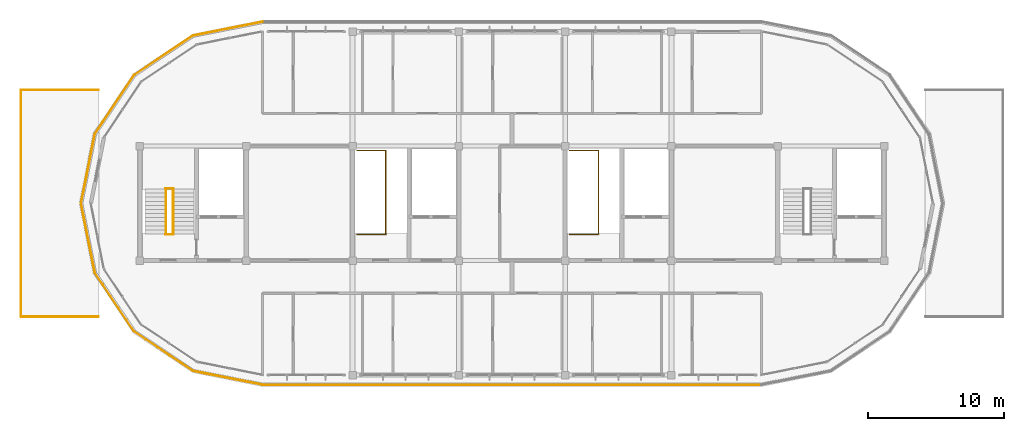
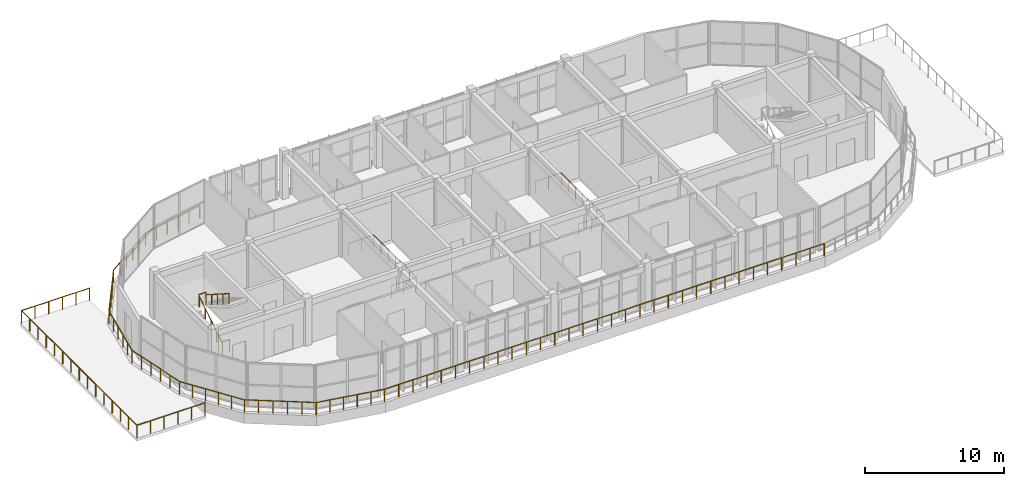
# One storey, part 32 of 33: 18 railings.
"""IFC4 building model written with IfcOpenShell, lengths in metres."""

from ifc_helpers import new_model, si_unit, direction, frame, origin, origin_2d, place, context, subcontext, project, spatial, circle, hollow_circle, extrude, material, material_profile, profile_set, type_object, element, save


model = new_model("IFC4")

# Units and contexts
model_context = context("Model", 3, precision=1e-05, world=origin(), true_north=direction((0.0, 1.0)))
body_context = subcontext(model_context, "Body", "Model", "MODEL_VIEW")
ifc_project = project(units=[si_unit("LENGTHUNIT", "METRE"), si_unit("AREAUNIT", "SQUARE_METRE"), si_unit("VOLUMEUNIT", "CUBIC_METRE"), si_unit("PLANEANGLEUNIT", "RADIAN"), si_unit("MASSUNIT", "GRAM", prefix="KILO")], contexts=[model_context])

# Site, building, storey
site_placement = place(None, origin())
site = spatial("IfcSite", under=ifc_project, at=site_placement, CompositionType="ELEMENT")
building_placement = place(site_placement, origin())
building = spatial("IfcBuilding", under=site, at=building_placement, Name="Zizhar Promenade General Hospital", CompositionType="ELEMENT")
storey_placement = place(building_placement, frame((0.0, 0.0, 39.0)))
storey = spatial("IfcBuildingStorey", under=building, at=storey_placement, Name="L09", CompositionType="ELEMENT", Elevation=39.0)

# Railings
ifc_material_1 = material(Name="Anodised aluminium 6063-T6", Category="aluminium")
ifc_material_profile_1 = material_profile(ifc_material_1, hollow_circle(Radius=0.06982421875, WallThickness=0.00634765625, at=origin_2d()))
ifc_profile_set_1 = profile_set([ifc_material_profile_1], Name="Anodised aluminium 6063-T6")
railing_type_1 = type_object("IfcRailingType", Name="RL-GUARD-TERR-1100", PredefinedType="GUARDRAIL", material=ifc_profile_set_1)
railing_1_placement = place(storey_placement, frame((55.800048828125, 25.919921875, 0.0)))
element("IfcRailing", 1, at=railing_1_placement, inside=storey, type_object=railing_type_1, Name="Perimeter Safety Guardrail L09-10", PredefinedType="GUARDRAIL", context=body_context, shape_type="SweptSolid", body=[
    extrude(circle(Radius=0.02392578125, at=origin_2d()), frame((0.0, 0.0, 1.09619140625), z_axis=(-0.980786101187, -0.195086195614, 0.0), x_axis=(0.195086195614, -0.980786101187, 0.0)), (0.0, 0.0, 1.0), 5.197265625),
    extrude(circle(Radius=0.02099609375, at=origin_2d()), origin(), (0.0, 0.0, 1.0), 1.072021484375),
    extrude(circle(Radius=0.02099609375, at=origin_2d()), frame((-1.01953125, -0.202880859375, 0.0)), (0.0, 0.0, 1.0), 1.072021484375),
    extrude(circle(Radius=0.02099609375, at=origin_2d()), frame((-2.0390625, -0.405517578125, 0.0)), (0.0, 0.0, 1.0), 1.072021484375),
    extrude(circle(Radius=0.02099609375, at=origin_2d()), frame((-3.058349609375, -0.6083984375, 0.0)), (0.0, 0.0, 1.0), 1.072021484375),
    extrude(circle(Radius=0.02099609375, at=origin_2d()), frame((-4.077880859375, -0.81103515625, 0.0)), (0.0, 0.0, 1.0), 1.072021484375),
    extrude(circle(Radius=0.02099609375, at=origin_2d()), frame((-5.097412109375, -1.013916015625, 0.0)), (0.0, 0.0, 1.0), 1.072021484375),
])
railing_2_placement = place(storey_placement, frame((50.70263671875, 24.906005859375, 0.0)))
element("IfcRailing", 2, at=railing_2_placement, inside=storey, type_object=railing_type_1, Name="Perimeter Safety Guardrail L09-11", PredefinedType="GUARDRAIL", context=body_context, shape_type="SweptSolid", body=[
    extrude(circle(Radius=0.02392578125, at=origin_2d()), frame((0.0, 0.0, 1.09619140625), z_axis=(-0.831486145253, -0.555545488913, 0.0), x_axis=(0.555545488913, -0.831486145253, 0.0)), (0.0, 0.0, 1.0), 5.197021484375),
    extrude(circle(Radius=0.02099609375, at=origin_2d()), origin(), (0.0, 0.0, 1.0), 1.072021484375),
    extrude(circle(Radius=0.02099609375, at=origin_2d()), frame((-0.8642578125, -0.577392578125, 0.0)), (0.0, 0.0, 1.0), 1.072021484375),
    extrude(circle(Radius=0.02099609375, at=origin_2d()), frame((-1.728515625, -1.15478515625, 0.0)), (0.0, 0.0, 1.0), 1.072021484375),
    extrude(circle(Radius=0.02099609375, at=origin_2d()), frame((-2.5927734375, -1.732421875, 0.0)), (0.0, 0.0, 1.0), 1.072021484375),
    extrude(circle(Radius=0.02099609375, at=origin_2d()), frame((-3.45703125, -2.309814453125, 0.0)), (0.0, 0.0, 1.0), 1.072021484375),
    extrude(circle(Radius=0.02099609375, at=origin_2d()), frame((-4.3212890625, -2.88720703125, 0.0)), (0.0, 0.0, 1.0), 1.072021484375),
])
railing_3_placement = place(storey_placement, frame((46.38134765625, 22.018798828125, 0.0)))
element("IfcRailing", 3, at=railing_3_placement, inside=storey, type_object=railing_type_1, Name="Perimeter Safety Guardrail L09-12", PredefinedType="GUARDRAIL", context=body_context, shape_type="SweptSolid", body=[
    extrude(circle(Radius=0.02392578125, at=origin_2d()), frame((0.0, 0.0, 1.09619140625), z_axis=(-0.555556266519, -0.83147894425, 0.0), x_axis=(0.83147894425, -0.555556266519, 0.0)), (0.0, 0.0, 1.0), 5.197509765625),
    extrude(circle(Radius=0.02099609375, at=origin_2d()), origin(), (0.0, 0.0, 1.0), 1.072021484375),
    extrude(circle(Radius=0.02099609375, at=origin_2d()), frame((-0.577392578125, -0.8642578125, 0.0)), (0.0, 0.0, 1.0), 1.072021484375),
    extrude(circle(Radius=0.02099609375, at=origin_2d()), frame((-1.155029296875, -1.728515625, 0.0)), (0.0, 0.0, 1.0), 1.072021484375),
    extrude(circle(Radius=0.02099609375, at=origin_2d()), frame((-1.732421875, -2.593017578125, 0.0)), (0.0, 0.0, 1.0), 1.072021484375),
    extrude(circle(Radius=0.02099609375, at=origin_2d()), frame((-2.31005859375, -3.457275390625, 0.0)), (0.0, 0.0, 1.0), 1.072021484375),
    extrude(circle(Radius=0.02099609375, at=origin_2d()), frame((-2.887451171875, -4.321533203125, 0.0)), (0.0, 0.0, 1.0), 1.072021484375),
])
railing_4_placement = place(storey_placement, frame((43.493896484375, 17.697265625, 0.0)))
element("IfcRailing", 4, at=railing_4_placement, inside=storey, type_object=railing_type_1, Name="Perimeter Safety Guardrail L09-13", PredefinedType="GUARDRAIL", context=body_context, shape_type="SweptSolid", body=[
    extrude(circle(Radius=0.02392578125, at=origin_2d()), frame((0.0, 0.0, 1.09619140625), z_axis=(-0.195095184069, -0.980784313268, 0.0), x_axis=(0.980784313268, -0.195095184069, 0.0)), (0.0, 0.0, 1.0), 5.197021484375),
    extrude(circle(Radius=0.02099609375, at=origin_2d()), origin(), (0.0, 0.0, 1.0), 1.072021484375),
    extrude(circle(Radius=0.02099609375, at=origin_2d()), frame((-0.202880859375, -1.01953125, 0.0)), (0.0, 0.0, 1.0), 1.072021484375),
    extrude(circle(Radius=0.02099609375, at=origin_2d()), frame((-0.405517578125, -2.038818359375, 0.0)), (0.0, 0.0, 1.0), 1.072021484375),
    extrude(circle(Radius=0.02099609375, at=origin_2d()), frame((-0.6083984375, -3.058349609375, 0.0)), (0.0, 0.0, 1.0), 1.072021484375),
    extrude(circle(Radius=0.02099609375, at=origin_2d()), frame((-0.81103515625, -4.07763671875, 0.0)), (0.0, 0.0, 1.0), 1.072021484375),
    extrude(circle(Radius=0.02099609375, at=origin_2d()), frame((-1.013916015625, -5.09716796875, 0.0)), (0.0, 0.0, 1.0), 1.072021484375),
])
railing_5_placement = place(storey_placement, frame((42.47998046875, 12.60009765625, 0.0)))
element("IfcRailing", 5, at=railing_5_placement, inside=storey, type_object=railing_type_1, Name="Perimeter Safety Guardrail L09-14", PredefinedType="GUARDRAIL", context=body_context, shape_type="SweptSolid", body=[
    extrude(circle(Radius=0.02392578125, at=origin_2d()), frame((0.0, 0.0, 1.09619140625), z_axis=(0.195086195614, -0.980786101187, 0.0), x_axis=(0.980786101187, 0.195086195614, 0.0)), (0.0, 0.0, 1.0), 5.197265625),
    extrude(circle(Radius=0.02099609375, at=origin_2d()), origin(), (0.0, 0.0, 1.0), 1.072021484375),
    extrude(circle(Radius=0.02099609375, at=origin_2d()), frame((0.202880859375, -1.01953125, 0.0)), (0.0, 0.0, 1.0), 1.072021484375),
    extrude(circle(Radius=0.02099609375, at=origin_2d()), frame((0.405517578125, -2.0390625, 0.0)), (0.0, 0.0, 1.0), 1.072021484375),
    extrude(circle(Radius=0.02099609375, at=origin_2d()), frame((0.6083984375, -3.058349609375, 0.0)), (0.0, 0.0, 1.0), 1.072021484375),
    extrude(circle(Radius=0.02099609375, at=origin_2d()), frame((0.81103515625, -4.077880859375, 0.0)), (0.0, 0.0, 1.0), 1.072021484375),
    extrude(circle(Radius=0.02099609375, at=origin_2d()), frame((1.013916015625, -5.097412109375, 0.0)), (0.0, 0.0, 1.0), 1.072021484375),
])
railing_6_placement = place(storey_placement, frame((43.493896484375, 7.502685546875, 0.0)))
element("IfcRailing", 6, at=railing_6_placement, inside=storey, type_object=railing_type_1, Name="Perimeter Safety Guardrail L09-15", PredefinedType="GUARDRAIL", context=body_context, shape_type="SweptSolid", body=[
    extrude(circle(Radius=0.02392578125, at=origin_2d()), frame((0.0, 0.0, 1.09619140625), z_axis=(0.555577965829, -0.831464445352, 0.0), x_axis=(0.831464445352, 0.555577965829, 0.0)), (0.0, 0.0, 1.0), 5.197265625),
    extrude(circle(Radius=0.02099609375, at=origin_2d()), origin(), (0.0, 0.0, 1.0), 1.072021484375),
    extrude(circle(Radius=0.02099609375, at=origin_2d()), frame((0.577392578125, -0.8642578125, 0.0)), (0.0, 0.0, 1.0), 1.072021484375),
    extrude(circle(Radius=0.02099609375, at=origin_2d()), frame((1.155029296875, -1.728515625, 0.0)), (0.0, 0.0, 1.0), 1.072021484375),
    extrude(circle(Radius=0.02099609375, at=origin_2d()), frame((1.732421875, -2.5927734375, 0.0)), (0.0, 0.0, 1.0), 1.072021484375),
    extrude(circle(Radius=0.02099609375, at=origin_2d()), frame((2.31005859375, -3.45703125, 0.0)), (0.0, 0.0, 1.0), 1.072021484375),
    extrude(circle(Radius=0.02099609375, at=origin_2d()), frame((2.887451171875, -4.3212890625, 0.0)), (0.0, 0.0, 1.0), 1.072021484375),
])
railing_7_placement = place(storey_placement, frame((46.38134765625, 3.181396484375, 0.0)))
element("IfcRailing", 7, at=railing_7_placement, inside=storey, type_object=railing_type_1, Name="Perimeter Safety Guardrail L09-16", PredefinedType="GUARDRAIL", context=body_context, shape_type="SweptSolid", body=[
    extrude(circle(Radius=0.02392578125, at=origin_2d()), frame((0.0, 0.0, 1.09619140625), z_axis=(0.831464445352, -0.555577965829, 0.0), x_axis=(0.555577965829, 0.831464445352, 0.0)), (0.0, 0.0, 1.0), 5.197265625),
    extrude(circle(Radius=0.02099609375, at=origin_2d()), origin(), (0.0, 0.0, 1.0), 1.072021484375),
    extrude(circle(Radius=0.02099609375, at=origin_2d()), frame((0.8642578125, -0.577392578125, 0.0)), (0.0, 0.0, 1.0), 1.072021484375),
    extrude(circle(Radius=0.02099609375, at=origin_2d()), frame((1.728515625, -1.155029296875, 0.0)), (0.0, 0.0, 1.0), 1.072021484375),
    extrude(circle(Radius=0.02099609375, at=origin_2d()), frame((2.5927734375, -1.732421875, 0.0)), (0.0, 0.0, 1.0), 1.072021484375),
    extrude(circle(Radius=0.02099609375, at=origin_2d()), frame((3.45703125, -2.31005859375, 0.0)), (0.0, 0.0, 1.0), 1.072021484375),
    extrude(circle(Radius=0.02099609375, at=origin_2d()), frame((4.3212890625, -2.887451171875, 0.0)), (0.0, 0.0, 1.0), 1.072021484375),
])
railing_8_placement = place(storey_placement, frame((50.70263671875, 0.2939453125, 0.0)))
element("IfcRailing", 8, at=railing_8_placement, inside=storey, type_object=railing_type_1, Name="Perimeter Safety Guardrail L09-17", PredefinedType="GUARDRAIL", context=body_context, shape_type="SweptSolid", body=[
    extrude(circle(Radius=0.02392578125, at=origin_2d()), frame((0.0, 0.0, 1.09619140625), z_axis=(0.980786101187, -0.195086195614, 0.0), x_axis=(0.195086195614, 0.980786101187, 0.0)), (0.0, 0.0, 1.0), 5.197265625),
    extrude(circle(Radius=0.02099609375, at=origin_2d()), origin(), (0.0, 0.0, 1.0), 1.072021484375),
    extrude(circle(Radius=0.02099609375, at=origin_2d()), frame((1.01953125, -0.202880859375, 0.0)), (0.0, 0.0, 1.0), 1.072021484375),
    extrude(circle(Radius=0.02099609375, at=origin_2d()), frame((2.0390625, -0.405517578125, 0.0)), (0.0, 0.0, 1.0), 1.072021484375),
    extrude(circle(Radius=0.02099609375, at=origin_2d()), frame((3.058349609375, -0.6083984375, 0.0)), (0.0, 0.0, 1.0), 1.072021484375),
    extrude(circle(Radius=0.02099609375, at=origin_2d()), frame((4.077880859375, -0.81103515625, 0.0)), (0.0, 0.0, 1.0), 1.072021484375),
    extrude(circle(Radius=0.02099609375, at=origin_2d()), frame((5.097412109375, -1.013916015625, 0.0)), (0.0, 0.0, 1.0), 1.072021484375),
])
railing_9_placement = place(storey_placement, frame((55.800048828125, -0.719970703125, 0.0)))
element("IfcRailing", 9, at=railing_9_placement, inside=storey, type_object=railing_type_1, Name="Perimeter Safety Guardrail L09-18", PredefinedType="GUARDRAIL", context=body_context, shape_type="SweptSolid", body=[
    extrude(circle(Radius=0.02392578125, at=origin_2d()), frame((0.0, 0.0, 1.09619140625), z_axis=(1.0, 0.0, 0.0), x_axis=(0.0, 1.0, 0.0)), (0.0, 0.0, 1.0), 36.599853515625),
    extrude(circle(Radius=0.02099609375, at=origin_2d()), origin(), (0.0, 0.0, 1.0), 1.072021484375),
    extrude(circle(Radius=0.02099609375, at=origin_2d()), frame((1.1806640625, 0.0, 0.0)), (0.0, 0.0, 1.0), 1.072021484375),
    extrude(circle(Radius=0.02099609375, at=origin_2d()), frame((2.361328125, 0.0, 0.0)), (0.0, 0.0, 1.0), 1.072021484375),
    extrude(circle(Radius=0.02099609375, at=origin_2d()), frame((3.5419921875, 0.0, 0.0)), (0.0, 0.0, 1.0), 1.072021484375),
    extrude(circle(Radius=0.02099609375, at=origin_2d()), frame((4.72265625, 0.0, 0.0)), (0.0, 0.0, 1.0), 1.072021484375),
    extrude(circle(Radius=0.02099609375, at=origin_2d()), frame((5.9033203125, 0.0, 0.0)), (0.0, 0.0, 1.0), 1.072021484375),
    extrude(circle(Radius=0.02099609375, at=origin_2d()), frame((7.083740234375, 0.0, 0.0)), (0.0, 0.0, 1.0), 1.072021484375),
    extrude(circle(Radius=0.02099609375, at=origin_2d()), frame((8.264404296875, 0.0, 0.0)), (0.0, 0.0, 1.0), 1.072021484375),
    extrude(circle(Radius=0.02099609375, at=origin_2d()), frame((9.445068359375, 0.0, 0.0)), (0.0, 0.0, 1.0), 1.072021484375),
    extrude(circle(Radius=0.02099609375, at=origin_2d()), frame((10.625732421875, 0.0, 0.0)), (0.0, 0.0, 1.0), 1.072021484375),
    extrude(circle(Radius=0.02099609375, at=origin_2d()), frame((11.806396484375, 0.0, 0.0)), (0.0, 0.0, 1.0), 1.072021484375),
    extrude(circle(Radius=0.02099609375, at=origin_2d()), frame((12.987060546875, 0.0, 0.0)), (0.0, 0.0, 1.0), 1.072021484375),
    extrude(circle(Radius=0.02099609375, at=origin_2d()), frame((14.167724609375, 0.0, 0.0)), (0.0, 0.0, 1.0), 1.072021484375),
    extrude(circle(Radius=0.02099609375, at=origin_2d()), frame((15.348388671875, 0.0, 0.0)), (0.0, 0.0, 1.0), 1.072021484375),
    extrude(circle(Radius=0.02099609375, at=origin_2d()), frame((16.529052734375, 0.0, 0.0)), (0.0, 0.0, 1.0), 1.072021484375),
    extrude(circle(Radius=0.02099609375, at=origin_2d()), frame((17.709716796875, 0.0, 0.0)), (0.0, 0.0, 1.0), 1.072021484375),
    extrude(circle(Radius=0.02099609375, at=origin_2d()), frame((18.89013671875, 0.0, 0.0)), (0.0, 0.0, 1.0), 1.072021484375),
    extrude(circle(Radius=0.02099609375, at=origin_2d()), frame((20.07080078125, 0.0, 0.0)), (0.0, 0.0, 1.0), 1.072021484375),
    extrude(circle(Radius=0.02099609375, at=origin_2d()), frame((21.25146484375, 0.0, 0.0)), (0.0, 0.0, 1.0), 1.072021484375),
    extrude(circle(Radius=0.02099609375, at=origin_2d()), frame((22.43212890625, 0.0, 0.0)), (0.0, 0.0, 1.0), 1.072021484375),
    extrude(circle(Radius=0.02099609375, at=origin_2d()), frame((23.61279296875, 0.0, 0.0)), (0.0, 0.0, 1.0), 1.072021484375),
    extrude(circle(Radius=0.02099609375, at=origin_2d()), frame((24.79345703125, 0.0, 0.0)), (0.0, 0.0, 1.0), 1.072021484375),
    extrude(circle(Radius=0.02099609375, at=origin_2d()), frame((25.97412109375, 0.0, 0.0)), (0.0, 0.0, 1.0), 1.072021484375),
    extrude(circle(Radius=0.02099609375, at=origin_2d()), frame((27.15478515625, 0.0, 0.0)), (0.0, 0.0, 1.0), 1.072021484375),
    extrude(circle(Radius=0.02099609375, at=origin_2d()), frame((28.33544921875, 0.0, 0.0)), (0.0, 0.0, 1.0), 1.072021484375),
    extrude(circle(Radius=0.02099609375, at=origin_2d()), frame((29.51611328125, 0.0, 0.0)), (0.0, 0.0, 1.0), 1.072021484375),
    extrude(circle(Radius=0.02099609375, at=origin_2d()), frame((30.696533203125, 0.0, 0.0)), (0.0, 0.0, 1.0), 1.072021484375),
    extrude(circle(Radius=0.02099609375, at=origin_2d()), frame((31.877197265625, 0.0, 0.0)), (0.0, 0.0, 1.0), 1.072021484375),
    extrude(circle(Radius=0.02099609375, at=origin_2d()), frame((33.057861328125, 0.0, 0.0)), (0.0, 0.0, 1.0), 1.072021484375),
    extrude(circle(Radius=0.02099609375, at=origin_2d()), frame((34.238525390625, 0.0, 0.0)), (0.0, 0.0, 1.0), 1.072021484375),
    extrude(circle(Radius=0.02099609375, at=origin_2d()), frame((35.419189453125, 0.0, 0.0)), (0.0, 0.0, 1.0), 1.072021484375),
    extrude(circle(Radius=0.02099609375, at=origin_2d()), frame((36.599853515625, 0.0, 0.0)), (0.0, 0.0, 1.0), 1.072021484375),
])
railing_10_placement = place(storey_placement, frame((43.75, 4.280029296875, 0.0)))
element("IfcRailing", 10, at=railing_10_placement, inside=storey, type_object=railing_type_1, Name="Perimeter Safety Guardrail L09-01", PredefinedType="GUARDRAIL", context=body_context, shape_type="SweptSolid", body=[
    extrude(circle(Radius=0.02392578125, at=origin_2d()), frame((0.0, 0.0, 1.09619140625), z_axis=(-1.0, 0.0, 0.0), x_axis=(0.0, -1.0, 0.0)), (0.0, 0.0, 1.0), 5.669921875),
    extrude(circle(Radius=0.02099609375, at=origin_2d()), origin(), (0.0, 0.0, 1.0), 1.072021484375),
    extrude(circle(Radius=0.02099609375, at=origin_2d()), frame((-1.134033203125, 0.0, 0.0)), (0.0, 0.0, 1.0), 1.072021484375),
    extrude(circle(Radius=0.02099609375, at=origin_2d()), frame((-2.26806640625, 0.0, 0.0)), (0.0, 0.0, 1.0), 1.072021484375),
    extrude(circle(Radius=0.02099609375, at=origin_2d()), frame((-3.40185546875, 0.0, 0.0)), (0.0, 0.0, 1.0), 1.072021484375),
    extrude(circle(Radius=0.02099609375, at=origin_2d()), frame((-4.535888671875, 0.0, 0.0)), (0.0, 0.0, 1.0), 1.072021484375),
    extrude(circle(Radius=0.02099609375, at=origin_2d()), frame((-5.669921875, 0.0, 0.0)), (0.0, 0.0, 1.0), 1.072021484375),
])
railing_11_placement = place(storey_placement, frame((38.080078125, 4.280029296875, 0.0)))
element("IfcRailing", 11, at=railing_11_placement, inside=storey, type_object=railing_type_1, Name="Perimeter Safety Guardrail L09-02", PredefinedType="GUARDRAIL", context=body_context, shape_type="SweptSolid", body=[
    extrude(circle(Radius=0.02392578125, at=origin_2d()), frame((0.0, 0.0, 1.09619140625), z_axis=(0.0, 1.0, 0.0), x_axis=(-1.0, 0.0, 0.0)), (0.0, 0.0, 1.0), 16.639892578125),
    extrude(circle(Radius=0.02099609375, at=origin_2d()), origin(), (0.0, 0.0, 1.0), 1.072021484375),
    extrude(circle(Radius=0.02099609375, at=origin_2d()), frame((0.0, 1.1884765625, 0.0)), (0.0, 0.0, 1.0), 1.072021484375),
    extrude(circle(Radius=0.02099609375, at=origin_2d()), frame((0.0, 2.377197265625, 0.0)), (0.0, 0.0, 1.0), 1.072021484375),
    extrude(circle(Radius=0.02099609375, at=origin_2d()), frame((0.0, 3.565673828125, 0.0)), (0.0, 0.0, 1.0), 1.072021484375),
    extrude(circle(Radius=0.02099609375, at=origin_2d()), frame((0.0, 4.754150390625, 0.0)), (0.0, 0.0, 1.0), 1.072021484375),
    extrude(circle(Radius=0.02099609375, at=origin_2d()), frame((0.0, 5.94287109375, 0.0)), (0.0, 0.0, 1.0), 1.072021484375),
    extrude(circle(Radius=0.02099609375, at=origin_2d()), frame((0.0, 7.13134765625, 0.0)), (0.0, 0.0, 1.0), 1.072021484375),
    extrude(circle(Radius=0.02099609375, at=origin_2d()), frame((0.0, 8.31982421875, 0.0)), (0.0, 0.0, 1.0), 1.072021484375),
    extrude(circle(Radius=0.02099609375, at=origin_2d()), frame((0.0, 9.508544921875, 0.0)), (0.0, 0.0, 1.0), 1.072021484375),
    extrude(circle(Radius=0.02099609375, at=origin_2d()), frame((0.0, 10.697021484375, 0.0)), (0.0, 0.0, 1.0), 1.072021484375),
    extrude(circle(Radius=0.02099609375, at=origin_2d()), frame((0.0, 11.8857421875, 0.0)), (0.0, 0.0, 1.0), 1.072021484375),
    extrude(circle(Radius=0.02099609375, at=origin_2d()), frame((0.0, 13.07421875, 0.0)), (0.0, 0.0, 1.0), 1.072021484375),
    extrude(circle(Radius=0.02099609375, at=origin_2d()), frame((0.0, 14.2626953125, 0.0)), (0.0, 0.0, 1.0), 1.072021484375),
    extrude(circle(Radius=0.02099609375, at=origin_2d()), frame((0.0, 15.451416015625, 0.0)), (0.0, 0.0, 1.0), 1.072021484375),
    extrude(circle(Radius=0.02099609375, at=origin_2d()), frame((0.0, 16.639892578125, 0.0)), (0.0, 0.0, 1.0), 1.072021484375),
])
railing_12_placement = place(storey_placement, frame((38.080078125, 20.919921875, 0.0)))
element("IfcRailing", 12, at=railing_12_placement, inside=storey, type_object=railing_type_1, Name="Perimeter Safety Guardrail L09-03", PredefinedType="GUARDRAIL", context=body_context, shape_type="SweptSolid", body=[
    extrude(circle(Radius=0.02392578125, at=origin_2d()), frame((0.0, 0.0, 1.09619140625), z_axis=(1.0, 0.0, 0.0), x_axis=(0.0, 1.0, 0.0)), (0.0, 0.0, 1.0), 5.669921875),
    extrude(circle(Radius=0.02099609375, at=origin_2d()), origin(), (0.0, 0.0, 1.0), 1.072021484375),
    extrude(circle(Radius=0.02099609375, at=origin_2d()), frame((1.134033203125, 0.0, 0.0)), (0.0, 0.0, 1.0), 1.072021484375),
    extrude(circle(Radius=0.02099609375, at=origin_2d()), frame((2.26806640625, 0.0, 0.0)), (0.0, 0.0, 1.0), 1.072021484375),
    extrude(circle(Radius=0.02099609375, at=origin_2d()), frame((3.40185546875, 0.0, 0.0)), (0.0, 0.0, 1.0), 1.072021484375),
    extrude(circle(Radius=0.02099609375, at=origin_2d()), frame((4.535888671875, 0.0, 0.0)), (0.0, 0.0, 1.0), 1.072021484375),
    extrude(circle(Radius=0.02099609375, at=origin_2d()), frame((5.669921875, 0.0, 0.0)), (0.0, 0.0, 1.0), 1.072021484375),
])
ifc_material_2 = material(Name="Anodised aluminium 6063-T6", Category="aluminium")
ifc_material_profile_2 = material_profile(ifc_material_2, hollow_circle(Radius=0.06982421875, WallThickness=0.00634765625, at=origin_2d()))
ifc_profile_set_2 = profile_set([ifc_material_profile_2], Name="Anodised aluminium 6063-T6")
railing_type_2 = type_object("IfcRailingType", Name="RL-HANDRAIL-920", PredefinedType="HANDRAIL", material=ifc_profile_set_2)
railing_13_placement = place(storey_placement, frame((48.699951171875, 10.35009765625, 0.0)))
element("IfcRailing", 13, at=railing_13_placement, inside=storey, type_object=railing_type_2, Name="Stair ST-02 Flight 1 Handrail (L09)", PredefinedType="HANDRAIL", context=body_context, shape_type="SweptSolid", body=[
    extrude(circle(Radius=0.02392578125, at=origin_2d()), frame((0.0, 0.0, 0.89599609375), z_axis=(0.0, 0.843635785416, 0.536915879413), x_axis=(-1.0, 0.0, 0.0)), (0.0, 0.0, 1.0), 3.911376953125),
    extrude(circle(Radius=0.02099609375, at=origin_2d()), origin(), (0.0, 0.0, 1.0), 0.871826171875),
    extrude(circle(Radius=0.02099609375, at=origin_2d()), frame((0.0, 0.824951171875, 0.52490234375)), (0.0, 0.0, 1.0), 0.871826171875),
    extrude(circle(Radius=0.02099609375, at=origin_2d()), frame((0.0, 1.64990234375, 1.050048828125)), (0.0, 0.0, 1.0), 0.871826171875),
    extrude(circle(Radius=0.02099609375, at=origin_2d()), frame((0.0, 2.474853515625, 1.5751953125)), (0.0, 0.0, 1.0), 0.871826171875),
    extrude(circle(Radius=0.02099609375, at=origin_2d()), frame((0.0, 3.2998046875, 2.10009765625)), (0.0, 0.0, 1.0), 0.871826171875),
])
railing_14_placement = place(storey_placement, frame((49.239990234375, 13.64990234375, 2.10009765625)))
element("IfcRailing", 14, at=railing_14_placement, inside=storey, type_object=railing_type_2, Name="Stair ST-02 Flight 2 Handrail (L09)", PredefinedType="HANDRAIL", context=body_context, shape_type="SweptSolid", body=[
    extrude(circle(Radius=0.02392578125, at=origin_2d()), frame((0.0, 0.0, 0.89599609375), z_axis=(0.0, -0.843664057944, 0.536871453268), x_axis=(1.0, 0.0, 0.0)), (0.0, 0.0, 1.0), 3.911376953125),
    extrude(circle(Radius=0.02099609375, at=origin_2d()), origin(), (0.0, 0.0, 1.0), 0.871826171875),
    extrude(circle(Radius=0.02099609375, at=origin_2d()), frame((0.0, -0.824951171875, 0.52490234375)), (0.0, 0.0, 1.0), 0.871826171875),
    extrude(circle(Radius=0.02099609375, at=origin_2d()), frame((0.0, -1.64990234375, 1.0498046875)), (0.0, 0.0, 1.0), 0.871826171875),
    extrude(circle(Radius=0.02099609375, at=origin_2d()), frame((0.0, -2.474853515625, 1.574951171875)), (0.0, 0.0, 1.0), 0.871826171875),
    extrude(circle(Radius=0.02099609375, at=origin_2d()), frame((0.0, -3.2998046875, 2.099853515625)), (0.0, 0.0, 1.0), 0.871826171875),
])
ifc_material_3 = material(Name="Steel S355", Category="steel")
ifc_material_profile_3 = material_profile(ifc_material_3, hollow_circle(Radius=0.06982421875, WallThickness=0.00634765625, at=origin_2d()))
ifc_profile_set_3 = profile_set([ifc_material_profile_3], Name="Steel S355")
railing_type_3 = type_object("IfcRailingType", Name="RL-STAIR-GUARD-1100", PredefinedType="GUARDRAIL", material=ifc_profile_set_3)
for number, where, name in (
    (15, (48.679931640625, 13.68994140625, 2.10009765625), "Stair ST-02 Half-Landing Guard (L09)"),
    (16, (48.679931640625, 10.31005859375, 0.0), "Stair ST-02 Landing Well Guard (L09)"),
):
    element("IfcRailing", number, at=place(storey_placement, frame(where)), inside=storey, type_object=railing_type_3, Name=name, PredefinedType="GUARDRAIL", context=body_context, shape_type="SweptSolid", body=[
        extrude(circle(Radius=0.02392578125, at=origin_2d()), frame((0.0, 0.0, 1.076171875), z_axis=(1.0, 0.0, 0.0), x_axis=(0.0, 1.0, 0.0)), (0.0, 0.0, 1.0), 0.580078125),
        extrude(circle(Radius=0.02099609375, at=origin_2d()), origin(), (0.0, 0.0, 1.0), 1.052001953125),
        extrude(circle(Radius=0.02099609375, at=origin_2d()), frame((0.580078125, 0.0, 0.0)), (0.0, 0.0, 1.0), 1.052001953125),
    ])
railing_15_placement = place(storey_placement, frame((62.719970703125, 10.31005859375, 0.0)))
element("IfcRailing", 17, at=railing_15_placement, inside=storey, type_object=railing_type_3, Name="Stair ST-03 Top Well Guard (L09)", PredefinedType="GUARDRAIL", context=body_context, shape_type="SweptSolid", body=[
    extrude(circle(Radius=0.02392578125, at=origin_2d()), frame((0.0, 0.0, 1.076171875), z_axis=(1.0, 0.0, 0.0), x_axis=(0.0, 1.0, 0.0)), (0.0, 0.0, 1.0), 2.1201171875),
    extrude(circle(Radius=0.02392578125, at=origin_2d()), frame((2.1201171875, 0.0, 1.076171875), z_axis=(0.0, 1.0, 0.0), x_axis=(-1.0, 0.0, 0.0)), (0.0, 0.0, 1.0), 6.169921875),
    extrude(circle(Radius=0.02392578125, at=origin_2d()), frame((2.1201171875, 6.169921875, 1.076171875), z_axis=(-1.0, 0.0, 0.0), x_axis=(0.0, -1.0, 0.0)), (0.0, 0.0, 1.0), 2.1201171875),
    extrude(circle(Radius=0.02099609375, at=origin_2d()), origin(), (0.0, 0.0, 1.0), 1.052001953125),
    extrude(circle(Radius=0.02099609375, at=origin_2d()), frame((1.06005859375, 0.0, 0.0)), (0.0, 0.0, 1.0), 1.052001953125),
    extrude(circle(Radius=0.02099609375, at=origin_2d()), frame((2.1201171875, 0.0, 0.0)), (0.0, 0.0, 1.0), 1.052001953125),
    extrude(circle(Radius=0.02099609375, at=origin_2d()), frame((2.1201171875, 1.0283203125, 0.0)), (0.0, 0.0, 1.0), 1.052001953125),
    extrude(circle(Radius=0.02099609375, at=origin_2d()), frame((2.1201171875, 2.056640625, 0.0)), (0.0, 0.0, 1.0), 1.052001953125),
    extrude(circle(Radius=0.02099609375, at=origin_2d()), frame((2.1201171875, 3.0849609375, 0.0)), (0.0, 0.0, 1.0), 1.052001953125),
    extrude(circle(Radius=0.02099609375, at=origin_2d()), frame((2.1201171875, 4.11328125, 0.0)), (0.0, 0.0, 1.0), 1.052001953125),
    extrude(circle(Radius=0.02099609375, at=origin_2d()), frame((2.1201171875, 5.1416015625, 0.0)), (0.0, 0.0, 1.0), 1.052001953125),
    extrude(circle(Radius=0.02099609375, at=origin_2d()), frame((2.1201171875, 6.169921875, 0.0)), (0.0, 0.0, 1.0), 1.052001953125),
    extrude(circle(Radius=0.02099609375, at=origin_2d()), frame((1.06005859375, 6.169921875, 0.0)), (0.0, 0.0, 1.0), 1.052001953125),
    extrude(circle(Radius=0.02099609375, at=origin_2d()), frame((0.0, 6.169921875, 0.0)), (0.0, 0.0, 1.0), 1.052001953125),
])
railing_16_placement = place(storey_placement, frame((78.320068359375, 10.31005859375, 0.0)))
element("IfcRailing", 18, at=railing_16_placement, inside=storey, type_object=railing_type_3, Name="Stair ST-04 Top Well Guard (L09)", PredefinedType="GUARDRAIL", context=body_context, shape_type="SweptSolid", body=[
    extrude(circle(Radius=0.02392578125, at=origin_2d()), frame((0.0, 0.0, 1.076171875), z_axis=(1.0, 0.0, 0.0), x_axis=(0.0, 1.0, 0.0)), (0.0, 0.0, 1.0), 2.119873046875),
    extrude(circle(Radius=0.02392578125, at=origin_2d()), frame((2.119873046875, 0.0, 1.076171875), z_axis=(0.0, 1.0, 0.0), x_axis=(-1.0, 0.0, 0.0)), (0.0, 0.0, 1.0), 6.169921875),
    extrude(circle(Radius=0.02392578125, at=origin_2d()), frame((2.119873046875, 6.169921875, 1.076171875), z_axis=(-1.0, 0.0, 0.0), x_axis=(0.0, -1.0, 0.0)), (0.0, 0.0, 1.0), 2.119873046875),
    extrude(circle(Radius=0.02099609375, at=origin_2d()), origin(), (0.0, 0.0, 1.0), 1.052001953125),
    extrude(circle(Radius=0.02099609375, at=origin_2d()), frame((1.06005859375, 0.0, 0.0)), (0.0, 0.0, 1.0), 1.052001953125),
    extrude(circle(Radius=0.02099609375, at=origin_2d()), frame((2.119873046875, 0.0, 0.0)), (0.0, 0.0, 1.0), 1.052001953125),
    extrude(circle(Radius=0.02099609375, at=origin_2d()), frame((2.119873046875, 1.0283203125, 0.0)), (0.0, 0.0, 1.0), 1.052001953125),
    extrude(circle(Radius=0.02099609375, at=origin_2d()), frame((2.119873046875, 2.056640625, 0.0)), (0.0, 0.0, 1.0), 1.052001953125),
    extrude(circle(Radius=0.02099609375, at=origin_2d()), frame((2.119873046875, 3.0849609375, 0.0)), (0.0, 0.0, 1.0), 1.052001953125),
    extrude(circle(Radius=0.02099609375, at=origin_2d()), frame((2.119873046875, 4.11328125, 0.0)), (0.0, 0.0, 1.0), 1.052001953125),
    extrude(circle(Radius=0.02099609375, at=origin_2d()), frame((2.119873046875, 5.1416015625, 0.0)), (0.0, 0.0, 1.0), 1.052001953125),
    extrude(circle(Radius=0.02099609375, at=origin_2d()), frame((2.119873046875, 6.169921875, 0.0)), (0.0, 0.0, 1.0), 1.052001953125),
    extrude(circle(Radius=0.02099609375, at=origin_2d()), frame((1.06005859375, 6.169921875, 0.0)), (0.0, 0.0, 1.0), 1.052001953125),
    extrude(circle(Radius=0.02099609375, at=origin_2d()), frame((0.0, 6.169921875, 0.0)), (0.0, 0.0, 1.0), 1.052001953125),
])

save(model, "model.ifc")
